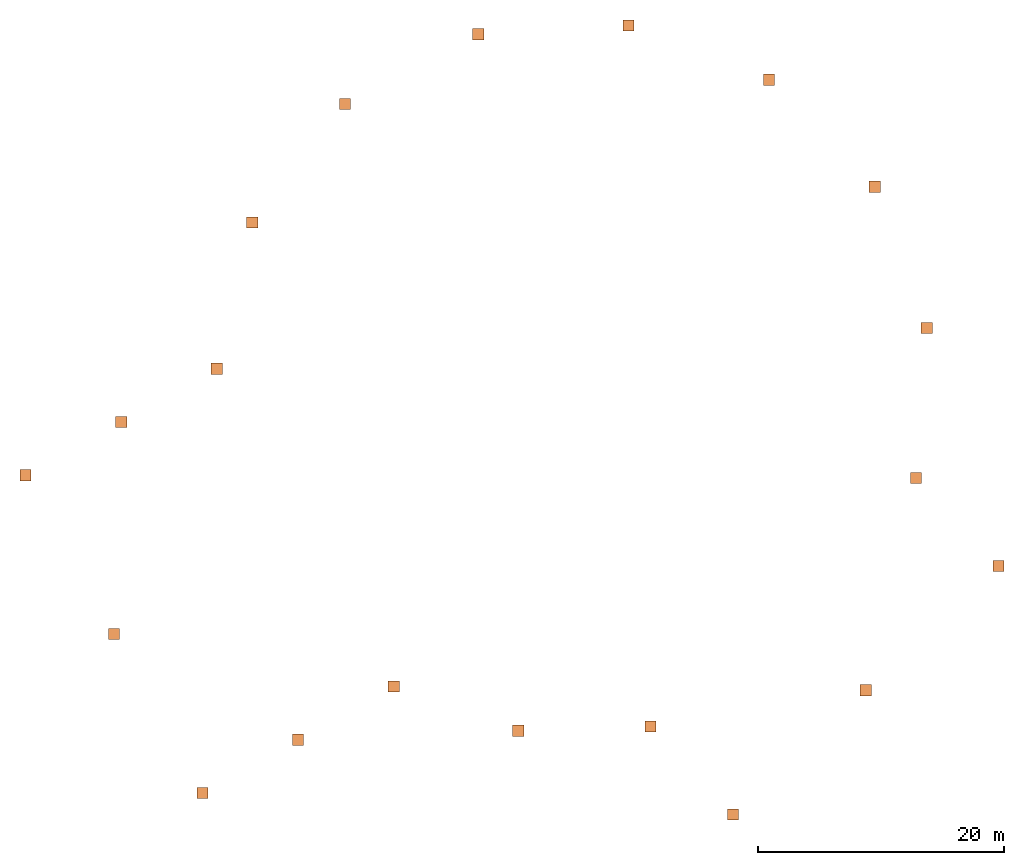
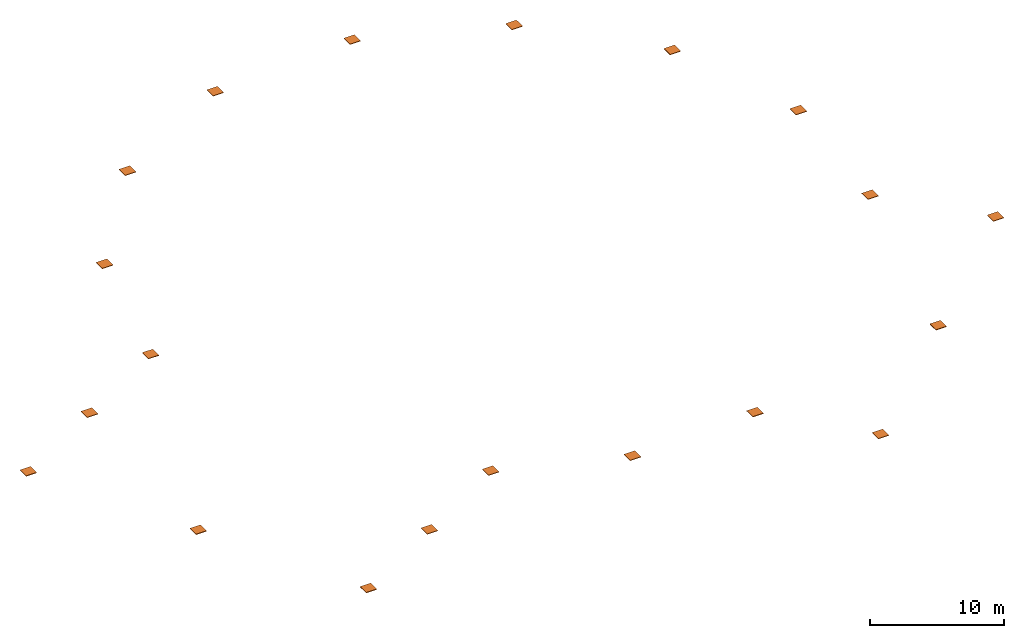
# One storey: 20 proxies.
"""IFC4 building model written with IfcOpenShell, lengths in metres."""

from ifc_helpers import new_model, si_unit, direction, frame, origin, origin_2d, place, context, subcontext, project, spatial, rectangle, extrude, material, type_object, element, save


model = new_model("IFC4")

# Units and contexts
model_context = context("Model", 3, precision=1e-05, world=origin(), true_north=direction((0.0, 1.0)))
body_context = subcontext(model_context, "Body", "Model", "MODEL_VIEW")
ifc_project = project(units=[si_unit("LENGTHUNIT", "METRE"), si_unit("AREAUNIT", "SQUARE_METRE"), si_unit("VOLUMEUNIT", "CUBIC_METRE"), si_unit("PLANEANGLEUNIT", "RADIAN"), si_unit("MASSUNIT", "GRAM", prefix="KILO")], contexts=[model_context])

# Site, building, storey
site_placement = place(None, origin())
site = spatial("IfcSite", under=ifc_project, at=site_placement, CompositionType="ELEMENT")
building_placement = place(site_placement, origin())
building = spatial("IfcBuilding", under=site, at=building_placement, Name="Tarsis Ring Headquarters", CompositionType="ELEMENT")
storey_placement = place(building_placement, frame((0.0, 0.0, 426.60009765625)))
storey = spatial("IfcBuildingStorey", under=building, at=storey_placement, Name="ROOF CROWN TOP", CompositionType="ELEMENT", Elevation=426.60009765625)

# Proxies
ifc_material = material(Name="Structural steel S355", Category="steel")
building_element_proxy_type = type_object("IfcBuildingElementProxyType", Name="Crown post cap plate", PredefinedType="USERDEFINED", material=ifc_material)
for number, where, z_axis, x_axis, name in (
    (1, (-4.484130859375, -28.700439453125, 0.0), (0.0, 0.0, 1.0), (1.0, 0.0, 0.0), "Crown post cap 1"),
    (2, (6.2822265625, -28.361083984375, 0.0), (0.0, 0.0, 1.0), (1.0, 0.0, 0.0), "Crown post cap 2"),
    (3, (12.98388671875, -35.517578125, 0.0), (0.0, 0.0, 1.0), (1.0, 0.0, 0.0), "Crown post cap 3"),
    (4, (23.786865234375, -25.4013671875, 0.0), (0.0, 0.0, 1.0), (1.0, 0.0, 0.0), "Crown post cap 4"),
    (5, (34.589599609375, -15.28515625, 0.0), (0.0, 0.0, 1.0), (1.0, 0.0, 0.0), "Crown post cap 5"),
    (6, (27.887939453125, -8.128662109375, 0.0), (0.0, 0.0, 1.0), (1.0, 0.0, 0.0), "Crown post cap 6"),
    (7, (28.75927734375, 4.089111328125, 0.0), (0.0, 0.0, 1.0), (1.0, 0.0, 0.0), "Crown post cap 7"),
    (8, (24.516845703125, 15.580078125, 0.0), (0.0, 0.0, 1.0), (1.0, 0.0, 0.0), "Crown post cap 8"),
    (9, (15.91552734375, 24.300537109375, 0.0), (0.0, 0.0, 1.0), (1.0, 0.0, 0.0), "Crown post cap 9"),
    (10, (4.484130859375, 28.700439453125, 0.0), (0.0, 0.0, 1.0), (1.0, 0.0, 0.0), "Crown post cap 10"),
    (11, (-7.74462890625, 27.9970703125, 0.0), (0.0, 0.0, 1.0), (1.0, 0.0, 0.0), "Crown post cap 11"),
    (12, (-18.59619140625, 22.31591796875, 0.0), (0.0, 0.0, 1.0), (1.0, 0.0, 0.0), "Crown post cap 12"),
    (13, (-26.141357421875, 12.666748046875, 0.0), (0.0, 0.0, 1.0), (1.0, 0.0, 0.0), "Crown post cap 13"),
    (14, (-29.038330078125, 0.765380859375, 0.0), (0.0, 0.0, 1.0), (1.0, 0.0, 0.0), "Crown post cap 14"),
    (15, (-36.8154296875, -3.566650390625, 0.0), (0.0, 0.0, 1.0), (1.0, 0.0, 0.0), "Crown post cap 15"),
    (16, (-44.592529296875, -7.89892578125, 0.0), (0.0, 0.0, 1.0), (1.0, 0.0, 0.0), "Crown post cap 16"),
    (17, (-37.39013671875, -20.828125, 0.0), (0.0, 0.0, 1.0), (1.0, 0.0, 0.0), "Crown post cap 17"),
    (18, (-30.18798828125, -33.757568359375, 0.0), (0.0, 0.0, 1.0), (1.0, 0.0, 0.0), "Crown post cap 18"),
    (19, (-22.410888671875, -29.42529296875, 0.0), (0.0, 0.0, 1.0), (1.0, 0.0, 0.0), "Crown post cap 19"),
    (20, (-14.6337890625, -25.09326171875, 0.0), (0.0, 0.0, 1.0), (1.0, 0.0, 0.0), "Crown post cap 20"),
):
    element("IfcBuildingElementProxy", number, at=place(storey_placement, frame(where, z_axis=z_axis, x_axis=x_axis)), inside=storey, type_object=building_element_proxy_type, Name=name, ObjectType="End cap", PredefinedType="USERDEFINED", context=body_context, shape_type="SweptSolid", body=[
        extrude(rectangle(XDim=0.9140625, YDim=0.9140625, at=origin_2d()), origin(), (0.0, 0.0, 1.0), 0.050048828125),
    ])

save(model, "model.ifc")
